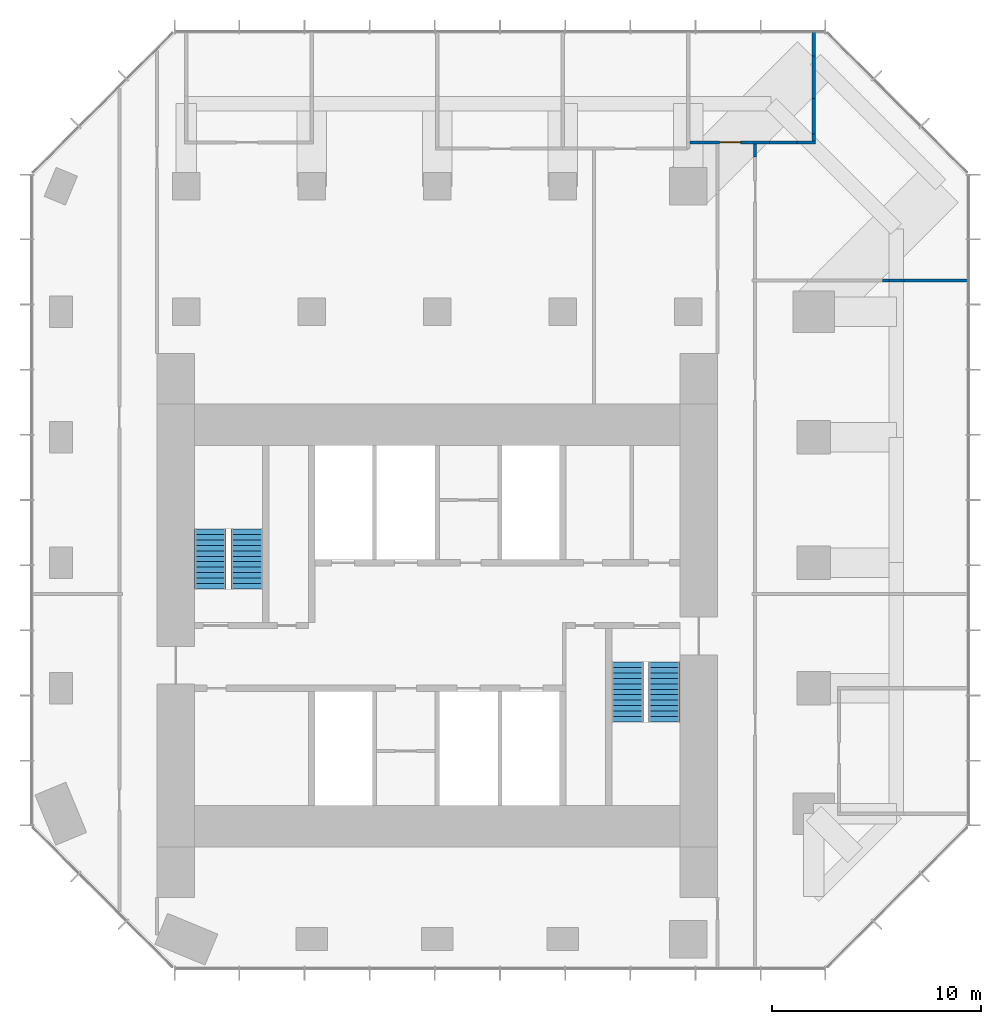
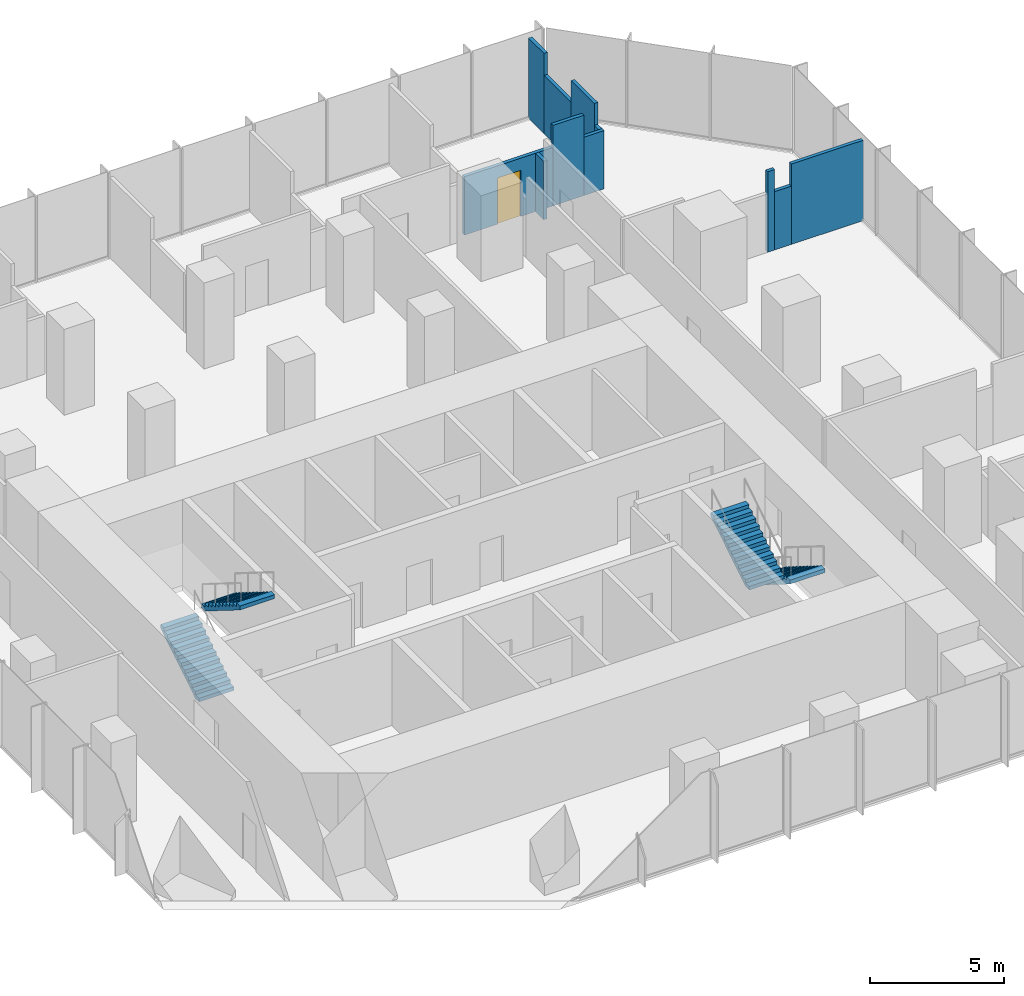
# One storey, part 10 of 11: 11 walls, 4 stair flights, 1 door, 1 opening, 2 elements without a shape of their own.
"""IFC4 building model written with IfcOpenShell, lengths in metres."""

from ifc_helpers import new_model, si_unit, direction, frame, frame_2d, origin, place, context, subcontext, project, spatial, polyline, rectangle, outline, extrude, material, layer, layer_set, type_object, element, fill, aggregate, save


model = new_model("IFC4")

# Units and contexts
model_context = context("Model", 3, precision=1e-05, world=origin(), true_north=direction((0.0, 1.0)))
body_context = subcontext(model_context, "Body", "Model", "MODEL_VIEW")
ifc_project = project(units=[si_unit("LENGTHUNIT", "METRE"), si_unit("AREAUNIT", "SQUARE_METRE"), si_unit("VOLUMEUNIT", "CUBIC_METRE"), si_unit("PLANEANGLEUNIT", "RADIAN"), si_unit("MASSUNIT", "GRAM", prefix="KILO")], contexts=[model_context])

# Site, building, storey
site_placement = place(None, origin())
site = spatial("IfcSite", under=ifc_project, at=site_placement, CompositionType="ELEMENT")
building_placement = place(site_placement, origin())
building = spatial("IfcBuilding", under=site, at=building_placement, Name="Highveld Stack Headquarters", CompositionType="ELEMENT")
storey_placement = place(building_placement, frame((0.0, 0.0, 177.199951171875)))
storey = spatial("IfcBuildingStorey", under=building, at=storey_placement, Name="L43", CompositionType="ELEMENT", Elevation=177.199951171875)

# Wall, opening, door
ifc_material_1 = material(Name="Gypsum plasterboard on steel studs", Category="steel")
ifc_layer = layer(ifc_material_1, 0.14990234375)
ifc_layer_set = layer_set([ifc_layer], Name="Gypsum plasterboard on steel studs")
wall_type = type_object("IfcWallType", Name="PARTITION 150 PLASTERBOARD", PredefinedType="PARTITIONING", material=ifc_layer_set)
wall_1_placement = place(storey_placement, frame((18.074951171875, 26.10009765625, 0.0), z_axis=(0.0, 0.0, 1.0), x_axis=(1.0, 0.0, 0.0)))
wall_1 = element("IfcWall", 1, at=wall_1_placement, inside=storey, type_object=wall_type, Name="Partition Focus room L43", PredefinedType="PARTITIONING", context=body_context, shape_type="SweptSolid", body=[
    extrude(rectangle(XDim=3.817138671875, YDim=0.14990234375, at=frame_2d((1.90869140625, 0.0))), origin(), (0.0, 0.0, 1.0), 2.650146484375),
])
opening_placement = place(wall_1_placement, frame((1.425048828125, 0.0, 0.0)))
opening = element("IfcOpeningElement", 2, at=opening_placement, cuts=wall_1, Name="Opening L43-18", PredefinedType="OPENING", context=body_context, shape_type="SweptSolid", body=[
    extrude(rectangle(XDim=1.0, YDim=2.10009765625, at=frame_2d((0.5, 1.050048828125))), frame((0.0, 0.0849609375, 0.0), z_axis=(0.0, -1.0, 0.0), x_axis=(1.0, 0.0, 0.0)), (0.0, 0.0, 1.0), 0.169921875),
])
ifc_material_2 = material(Name="Timber door, oiled ash", Category="wood")
door_type = type_object("IfcDoorType", Name="ROOM DOOR D6 1000x2100", OperationType="SINGLE_SWING_LEFT", PredefinedType="DOOR", material=ifc_material_2)
door_placement = place(opening_placement, origin())
door = element("IfcDoor", 3, at=door_placement, inside=storey, type_object=door_type, Name="Focus room door 1 L43", OperationType="SINGLE_SWING_LEFT", OverallHeight=2.10009765625, OverallWidth=1.0, PredefinedType="DOOR", context=body_context, shape_type="SweptSolid", body=[
    extrude(rectangle(XDim=1.0, YDim=2.10009765625, at=frame_2d((0.5, 1.050048828125))), frame((0.0, 0.02490234375, 0.0), z_axis=(0.0, -1.0, 0.0), x_axis=(1.0, 0.0, 0.0)), (0.0, 0.0, 1.0), 0.050048828125),
])
fill(opening, door)

# Walls
wall_2_placement = place(storey_placement, frame((21.89208984375, 26.10009765625, 0.0), z_axis=(0.0, 0.0, 1.0), x_axis=(1.0, 0.0, 0.0)))
element("IfcWall", 4, at=wall_2_placement, inside=storey, type_object=wall_type, Name="Partition Focus room L43", PredefinedType="PARTITIONING", context=body_context, shape_type="SweptSolid", body=[
    extrude(rectangle(XDim=1.31787109375, YDim=0.14990234375, at=frame_2d((0.658935546875, 0.0))), origin(), (0.0, 0.0, 1.0), 3.650146484375),
])
wall_3_placement = place(storey_placement, frame((23.2099609375, 26.10009765625, 0.0), z_axis=(0.0, 0.0, 1.0), x_axis=(1.0, 0.0, 0.0)))
element("IfcWall", 5, at=wall_3_placement, inside=storey, type_object=wall_type, Name="Partition Focus room L43", PredefinedType="PARTITIONING", context=body_context, shape_type="SweptSolid", body=[
    extrude(rectangle(XDim=0.864990234375, YDim=0.14990234375, at=frame_2d((0.4326171875, 0.0))), origin(), (0.0, 0.0, 1.0), 2.650146484375),
])
wall_4_placement = place(storey_placement, frame((24.0, 26.175048828125, 0.0), z_axis=(0.0, 0.0, 1.0), x_axis=(0.0, 1.0, 0.0)))
element("IfcWall", 6, at=wall_4_placement, inside=storey, type_object=wall_type, Name="Partition Focus room L43", PredefinedType="PARTITIONING", context=body_context, shape_type="SweptSolid", body=[
    extrude(rectangle(XDim=0.31494140625, YDim=0.14990234375, at=frame_2d((0.157470703125, 0.0))), origin(), (0.0, 0.0, 1.0), 2.650146484375),
])
wall_5_placement = place(storey_placement, frame((24.0, 26.489990234375, 0.0), z_axis=(0.0, 0.0, 1.0), x_axis=(0.0, 1.0, 0.0)))
element("IfcWall", 7, at=wall_5_placement, inside=storey, type_object=wall_type, Name="Partition Focus room L43", PredefinedType="PARTITIONING", context=body_context, shape_type="SweptSolid", body=[
    extrude(rectangle(XDim=1.718017578125, YDim=0.14990234375, at=frame_2d((0.85888671875, 0.0))), origin(), (0.0, 0.0, 1.0), 3.650146484375),
])
wall_6_placement = place(storey_placement, frame((24.0, 28.2080078125, 0.0), z_axis=(0.0, 0.0, 1.0), x_axis=(0.0, 1.0, 0.0)))
element("IfcWall", 8, at=wall_6_placement, inside=storey, type_object=wall_type, Name="Partition Focus room L43", PredefinedType="PARTITIONING", context=body_context, shape_type="SweptSolid", body=[
    extrude(rectangle(XDim=2.029052734375, YDim=0.14990234375, at=frame_2d((1.0146484375, 0.0))), origin(), (0.0, 0.0, 1.0), 2.650146484375),
])
wall_7_placement = place(storey_placement, frame((24.0, 30.237060546875, 0.0), z_axis=(0.0, 0.0, 1.0), x_axis=(0.0, 1.0, 0.0)))
element("IfcWall", 9, at=wall_7_placement, inside=storey, type_object=wall_type, Name="Partition Focus room L43", PredefinedType="PARTITIONING", context=body_context, shape_type="SweptSolid", body=[
    extrude(rectangle(XDim=1.162841796875, YDim=0.14990234375, at=frame_2d((0.58154296875, 0.0))), origin(), (0.0, 0.0, 1.0), 3.650146484375),
])
wall_8_placement = place(storey_placement, frame((21.199951171875, 25.407958984375, 0.0), z_axis=(0.0, 0.0, 1.0), x_axis=(0.0, 1.0, 0.0)))
element("IfcWall", 10, at=wall_8_placement, inside=storey, type_object=wall_type, Name="Partition office neighbourhood L43", PredefinedType="PARTITIONING", context=body_context, shape_type="SweptSolid", body=[
    extrude(rectangle(XDim=0.616943359375, YDim=0.14990234375, at=frame_2d((0.30859375, 0.0))), origin(), (0.0, 0.0, 1.0), 2.650146484375),
])
wall_9_placement = place(storey_placement, frame((27.2919921875, 19.5, 0.0), z_axis=(0.0, 0.0, 1.0), x_axis=(1.0, 0.0, 0.0)))
element("IfcWall", 11, at=wall_9_placement, inside=storey, type_object=wall_type, Name="Partition office neighbourhood L43", PredefinedType="PARTITIONING", context=body_context, shape_type="SweptSolid", body=[
    extrude(rectangle(XDim=0.298095703125, YDim=0.14990234375, at=frame_2d((0.14892578125, 0.0))), origin(), (0.0, 0.0, 1.0), 3.650146484375),
])
wall_10_placement = place(storey_placement, frame((27.590087890625, 19.5, 0.0), z_axis=(0.0, 0.0, 1.0), x_axis=(1.0, 0.0, 0.0)))
element("IfcWall", 12, at=wall_10_placement, inside=storey, type_object=wall_type, Name="Partition office neighbourhood L43", PredefinedType="PARTITIONING", context=body_context, shape_type="SweptSolid", body=[
    extrude(rectangle(XDim=0.719970703125, YDim=0.14990234375, at=frame_2d((0.35986328125, 0.0))), origin(), (0.0, 0.0, 1.0), 2.650146484375),
])
wall_11_placement = place(storey_placement, frame((28.31005859375, 19.5, 0.0), z_axis=(0.0, 0.0, 1.0), x_axis=(1.0, 0.0, 0.0)))
element("IfcWall", 13, at=wall_11_placement, inside=storey, type_object=wall_type, Name="Partition office neighbourhood L43", PredefinedType="PARTITIONING", context=body_context, shape_type="SweptSolid", body=[
    extrude(rectangle(XDim=3.08984375, YDim=0.14990234375, at=frame_2d((1.544921875, 0.0))), origin(), (0.0, 0.0, 1.0), 3.650146484375),
])

# Stair, stair flights
ifc_material_3 = material(Name="Concrete C40/50, precast", Category="concrete")
stair_type_1 = type_object("IfcStairType", Name="STAIR S1 HALF TURN 1500", PredefinedType="HALF_TURN_STAIR", material=ifc_material_3)
stair_1_placement = place(storey_placement, origin())
stair_1 = element("IfcStair", 14, at=stair_1_placement, inside=storey, type_object=stair_type_1, Name="Stair S1 L43", PredefinedType="HALF_TURN_STAIR")
ifc_material_4 = material(Name="Concrete C40/50, precast", Category="concrete")
stair_flight_type = type_object("IfcStairFlightType", Name="STAIR FLIGHT 1500 PRECAST", PredefinedType="STRAIGHT", material=ifc_material_4)
stair_flight_1_placement = place(storey_placement, frame((-4.85009765625, 4.75, 0.0), z_axis=(0.0, 0.0, 1.0), x_axis=(0.0, 1.0, 0.0)))
stair_flight_1 = element("IfcStairFlight", 15, at=stair_flight_1_placement, type_object=stair_flight_type, Name="S1 flight 1", NumberOfRisers=12, NumberOfTreads=11, PredefinedType="STRAIGHT", RiserHeight=0.1625, TreadLength=0.26, context=body_context, shape_type="SweptSolid", body=[
    extrude(outline(polyline([(0.0, 0.0), (0.0, 0.16259765625), (0.260009765625, 0.16259765625), (0.260009765625, 0.324951171875), (0.52001953125, 0.324951171875), (0.52001953125, 0.487548828125), (0.780029296875, 0.487548828125), (0.780029296875, 0.64990234375), (1.0400390625, 0.64990234375), (1.0400390625, 0.8125), (1.300048828125, 0.8125), (1.300048828125, 0.97509765625), (1.56005859375, 0.97509765625), (1.56005859375, 1.137451171875), (1.820068359375, 1.137451171875), (1.820068359375, 1.300048828125), (2.080078125, 1.300048828125), (2.080078125, 1.46240234375), (2.340087890625, 1.46240234375), (2.340087890625, 1.625), (2.60009765625, 1.625), (2.60009765625, 1.78759765625), (2.860107421875, 1.78759765625), (2.860107421875, 1.949951171875), (2.860107421875, 1.61083984375), (0.28271484375, 0.0), (0.0, 0.0)])), frame((0.0, 0.75, 0.0), z_axis=(0.0, -1.0, 0.0), x_axis=(1.0, 0.0, 0.0)), (0.0, 0.0, 1.0), 1.5),
])
stair_flight_2_placement = place(storey_placement, frame((-3.10009765625, 7.610107421875, 1.949951171875), z_axis=(0.0, 0.0, 1.0), x_axis=(0.0, -1.0, 0.0)))
stair_flight_2 = element("IfcStairFlight", 16, at=stair_flight_2_placement, type_object=stair_flight_type, Name="S1 flight 2", NumberOfRisers=12, NumberOfTreads=11, PredefinedType="STRAIGHT", RiserHeight=0.1625, TreadLength=0.26, context=body_context, shape_type="SweptSolid", body=[
    extrude(outline(polyline([(0.0, 0.0), (0.0, 0.16259765625), (0.260009765625, 0.16259765625), (0.260009765625, 0.324951171875), (0.52001953125, 0.324951171875), (0.52001953125, 0.487548828125), (0.780029296875, 0.487548828125), (0.780029296875, 0.64990234375), (1.0400390625, 0.64990234375), (1.0400390625, 0.8125), (1.300048828125, 0.8125), (1.300048828125, 0.97509765625), (1.56005859375, 0.97509765625), (1.56005859375, 1.137451171875), (1.820068359375, 1.137451171875), (1.820068359375, 1.300048828125), (2.080078125, 1.300048828125), (2.080078125, 1.46240234375), (2.340087890625, 1.46240234375), (2.340087890625, 1.625), (2.60009765625, 1.625), (2.60009765625, 1.78759765625), (2.860107421875, 1.78759765625), (2.860107421875, 1.949951171875), (2.860107421875, 1.61083984375), (0.28271484375, 0.0), (0.0, 0.0)])), frame((0.0, 0.75, 0.0), z_axis=(0.0, -1.0, 0.0), x_axis=(1.0, 0.0, 0.0)), (0.0, 0.0, 1.0), 1.5),
])
aggregate(stair_1, [stair_flight_1, stair_flight_2])

ifc_material_5 = material(Name="Concrete C40/50, precast", Category="concrete")
stair_type_2 = type_object("IfcStairType", Name="STAIR S2 HALF TURN 1500", PredefinedType="HALF_TURN_STAIR", material=ifc_material_5)
stair_2_placement = place(storey_placement, origin())
stair_2 = element("IfcStair", 17, at=stair_2_placement, inside=storey, type_object=stair_type_2, Name="Stair S2 L43", PredefinedType="HALF_TURN_STAIR")
stair_flight_3_placement = place(storey_placement, frame((16.85009765625, 1.25, 0.0), z_axis=(0.0, 0.0, 1.0), x_axis=(0.0, -1.0, 0.0)))
stair_flight_3 = element("IfcStairFlight", 18, at=stair_flight_3_placement, type_object=stair_flight_type, Name="S2 flight 1", NumberOfRisers=12, NumberOfTreads=11, PredefinedType="STRAIGHT", RiserHeight=0.1625, TreadLength=0.26, context=body_context, shape_type="SweptSolid", body=[
    extrude(outline(polyline([(0.0, 0.0), (0.0, 0.16259765625), (0.260009765625, 0.16259765625), (0.260009765625, 0.324951171875), (0.52001953125, 0.324951171875), (0.52001953125, 0.487548828125), (0.780029296875, 0.487548828125), (0.780029296875, 0.64990234375), (1.0400390625, 0.64990234375), (1.0400390625, 0.8125), (1.300048828125, 0.8125), (1.300048828125, 0.97509765625), (1.56005859375, 0.97509765625), (1.56005859375, 1.137451171875), (1.820068359375, 1.137451171875), (1.820068359375, 1.300048828125), (2.080078125, 1.300048828125), (2.080078125, 1.46240234375), (2.340087890625, 1.46240234375), (2.340087890625, 1.625), (2.60009765625, 1.625), (2.60009765625, 1.78759765625), (2.860107421875, 1.78759765625), (2.860107421875, 1.949951171875), (2.860107421875, 1.61083984375), (0.28271484375, 0.0), (0.0, 0.0)])), frame((0.0, 0.75, 0.0), z_axis=(0.0, -1.0, 0.0), x_axis=(1.0, 0.0, 0.0)), (0.0, 0.0, 1.0), 1.5),
])
stair_flight_4_placement = place(storey_placement, frame((15.10009765625, -1.610107421875, 1.949951171875), z_axis=(0.0, 0.0, 1.0), x_axis=(0.0, 1.0, 0.0)))
stair_flight_4 = element("IfcStairFlight", 19, at=stair_flight_4_placement, type_object=stair_flight_type, Name="S2 flight 2", NumberOfRisers=12, NumberOfTreads=11, PredefinedType="STRAIGHT", RiserHeight=0.1625, TreadLength=0.26, context=body_context, shape_type="SweptSolid", body=[
    extrude(outline(polyline([(0.0, 0.0), (0.0, 0.16259765625), (0.260009765625, 0.16259765625), (0.260009765625, 0.324951171875), (0.52001953125, 0.324951171875), (0.52001953125, 0.487548828125), (0.780029296875, 0.487548828125), (0.780029296875, 0.64990234375), (1.0400390625, 0.64990234375), (1.0400390625, 0.8125), (1.300048828125, 0.8125), (1.300048828125, 0.97509765625), (1.56005859375, 0.97509765625), (1.56005859375, 1.137451171875), (1.820068359375, 1.137451171875), (1.820068359375, 1.300048828125), (2.080078125, 1.300048828125), (2.080078125, 1.46240234375), (2.340087890625, 1.46240234375), (2.340087890625, 1.625), (2.60009765625, 1.625), (2.60009765625, 1.78759765625), (2.860107421875, 1.78759765625), (2.860107421875, 1.949951171875), (2.860107421875, 1.61083984375), (0.28271484375, 0.0), (0.0, 0.0)])), frame((0.0, 0.75, 0.0), z_axis=(0.0, -1.0, 0.0), x_axis=(1.0, 0.0, 0.0)), (0.0, 0.0, 1.0), 1.5),
])
aggregate(stair_2, [stair_flight_3, stair_flight_4])

save(model, "model.ifc")
